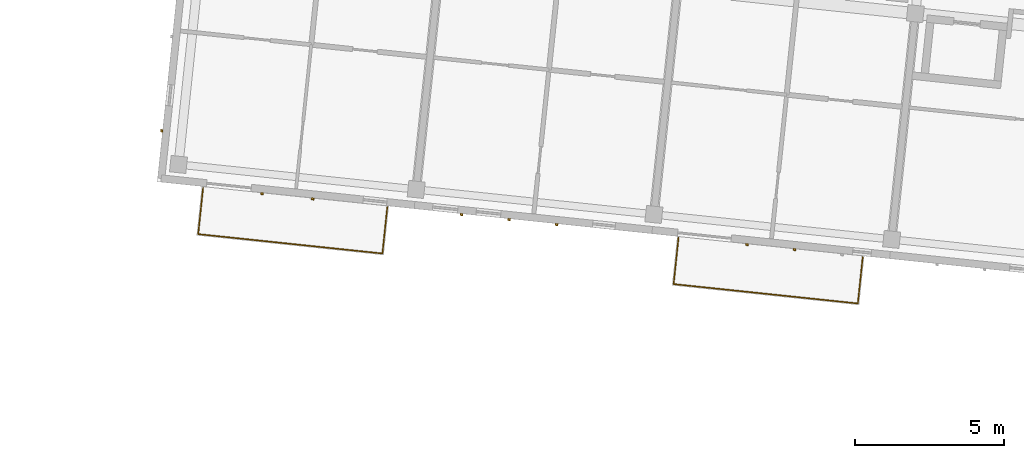
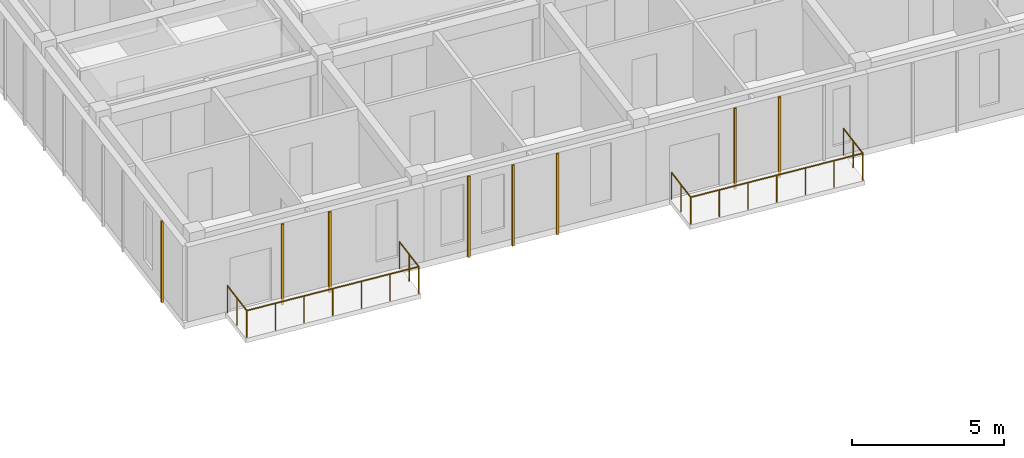
# One storey, part 56 of 66: 8 coverings, 2 railings.
"""IFC4 building model written with IfcOpenShell, lengths in metres."""

from ifc_helpers import new_model, si_unit, direction, frame, origin, origin_2d, place, context, subcontext, project, spatial, rectangle, circle, extrude, material, layer, layer_set, type_object, element, save


model = new_model("IFC4")

# Units and contexts
model_context = context("Model", 3, precision=1e-05, world=origin(), true_north=direction((0.0, 1.0)))
body_context = subcontext(model_context, "Body", "Model", "MODEL_VIEW")
ifc_project = project(units=[si_unit("LENGTHUNIT", "METRE"), si_unit("AREAUNIT", "SQUARE_METRE"), si_unit("VOLUMEUNIT", "CUBIC_METRE"), si_unit("PLANEANGLEUNIT", "RADIAN"), si_unit("MASSUNIT", "GRAM", prefix="KILO")], contexts=[model_context])

# Site, building, storey
site_placement = place(None, origin())
site = spatial("IfcSite", under=ifc_project, at=site_placement, CompositionType="ELEMENT")
building_placement = place(site_placement, origin())
building = spatial("IfcBuilding", under=site, at=building_placement, Name="Kestramere Prow Commons", CompositionType="ELEMENT")
storey_placement = place(building_placement, frame((0.0, 0.0, 14.89990234375)))
storey = spatial("IfcBuildingStorey", under=building, at=storey_placement, Name="L04", CompositionType="ELEMENT", Elevation=14.89990234375)

# Coverings
ifc_material_1 = material(Name="Weathered Zinc-Titanium Standing-Seam Cladding")
ifc_layer = layer(ifc_material_1, 0.074951171875)
ifc_layer_set = layer_set([ifc_layer], Name="Weathered Zinc-Titanium Standing-Seam Cladding")
covering_type = type_object("IfcCoveringType", Name="COV-CLAD-SEAM", PredefinedType="CLADDING", material=ifc_layer_set)
for number, where, z_axis, x_axis, name in (
    (1, (114.494140625, 93.646484375, -0.25), (0.0, 0.0, 1.0), (-0.994521895368, 0.104528463268, 0.0), "EW-B-L04-S-0 Standing-Seam Rib 2"),
    (2, (112.79833984375, 93.82470703125, -0.25), (0.0, 0.0, 1.0), (-0.994521895368, 0.104528463268, 0.0), "EW-B-L04-S-0 Standing-Seam Rib 3"),
    (3, (122.6591796875, 92.788330078125, -0.25), (0.0, 0.0, 1.0), (-0.994521895368, 0.104528463268, 0.0), "EW-B-L04-S-1 Standing-Seam Rib 2"),
    (4, (121.06787109375, 92.95556640625, -0.25), (0.0, 0.0, 1.0), (-0.994521895368, 0.104528463268, 0.0), "EW-B-L04-S-1 Standing-Seam Rib 3"),
    (5, (119.4765625, 93.122802734375, -0.25), (0.0, 0.0, 1.0), (-0.994521895368, 0.104528463268, 0.0), "EW-B-L04-S-1 Standing-Seam Rib 4"),
    (6, (130.615234375, 91.951904296875, -0.25), (0.0, 0.0, 1.0), (-0.994521895368, 0.104528463268, 0.0), "EW-B-L04-S-2 Standing-Seam Rib 2"),
    (7, (129.02392578125, 92.119384765625, -0.25), (0.0, 0.0, 1.0), (-0.994521895368, 0.104528463268, 0.0), "EW-B-L04-S-2 Standing-Seam Rib 3"),
    (8, (109.437255859375, 95.928466796875, -0.25), (0.0, 0.0, 1.0), (0.104528463268, 0.994521895368, 0.0), "EW-B-L04-EAV Standing-Seam Rib 1"),
):
    element("IfcCovering", number, at=place(storey_placement, frame(where, z_axis=z_axis, x_axis=x_axis)), inside=storey, type_object=covering_type, Name=name, PredefinedType="CLADDING", context=body_context, shape_type="SweptSolid", body=[
        extrude(rectangle(XDim=0.0849609375, YDim=0.06494140625, at=origin_2d()), origin(), (0.0, 0.0, 1.0), 3.25),
    ])

# Railings
ifc_material_2 = material(Name="Powder-Coated Aluminium 6063-T6", Category="aluminium")
railing_type = type_object("IfcRailingType", Name="GRD-BALC-1100", PredefinedType="BALUSTRADE", material=ifc_material_2)
railing_1_placement = place(storey_placement, frame((110.822998046875, 94.019775390625, 0.0)))
element("IfcRailing", 9, at=railing_1_placement, inside=storey, type_object=railing_type, Name="Block B L04 Balcony Guardrail 1", PredefinedType="BALUSTRADE", context=body_context, shape_type="SweptSolid", body=[
    extrude(circle(Radius=0.02392578125, at=origin_2d()), frame((0.0, 0.0, 1.076171875), z_axis=(-0.104538150424, -0.994520877159, 0.0), x_axis=(0.994520877159, -0.104538150424, 0.0)), (0.0, 0.0, 1.0), 1.56005859375),
    extrude(circle(Radius=0.02392578125, at=origin_2d()), frame((-0.1630859375, -1.551513671875, 1.076171875), z_axis=(0.994519899862, -0.104547447503, 0.0), x_axis=(0.104547447503, 0.994519899862, 0.0)), (0.0, 0.0, 1.0), 6.199951171875),
    extrude(circle(Radius=0.02392578125, at=origin_2d()), frame((6.0029296875, -2.19970703125, 1.076171875), z_axis=(0.104538150424, 0.994520877159, 0.0), x_axis=(-0.994520877159, 0.104538150424, 0.0)), (0.0, 0.0, 1.0), 1.56005859375),
    extrude(circle(Radius=0.02099609375, at=origin_2d()), origin(), (0.0, 0.0, 1.0), 1.052001953125),
    extrude(circle(Radius=0.02099609375, at=origin_2d()), frame((-0.08154296875, -0.77587890625, 0.0)), (0.0, 0.0, 1.0), 1.052001953125),
    extrude(circle(Radius=0.02099609375, at=origin_2d()), frame((-0.1630859375, -1.551513671875, 0.0)), (0.0, 0.0, 1.0), 1.052001953125),
    extrude(circle(Radius=0.02099609375, at=origin_2d()), frame((0.864501953125, -1.65966796875, 0.0)), (0.0, 0.0, 1.0), 1.052001953125),
    extrude(circle(Radius=0.02099609375, at=origin_2d()), frame((1.892333984375, -1.767578125, 0.0)), (0.0, 0.0, 1.0), 1.052001953125),
    extrude(circle(Radius=0.02099609375, at=origin_2d()), frame((2.919921875, -1.87548828125, 0.0)), (0.0, 0.0, 1.0), 1.052001953125),
    extrude(circle(Radius=0.02099609375, at=origin_2d()), frame((3.947509765625, -1.983642578125, 0.0)), (0.0, 0.0, 1.0), 1.052001953125),
    extrude(circle(Radius=0.02099609375, at=origin_2d()), frame((4.975341796875, -2.091796875, 0.0)), (0.0, 0.0, 1.0), 1.052001953125),
    extrude(circle(Radius=0.02099609375, at=origin_2d()), frame((6.0029296875, -2.19970703125, 0.0)), (0.0, 0.0, 1.0), 1.052001953125),
    extrude(circle(Radius=0.02099609375, at=origin_2d()), frame((6.08447265625, -1.423828125, 0.0)), (0.0, 0.0, 1.0), 1.052001953125),
    extrude(circle(Radius=0.02099609375, at=origin_2d()), frame((6.166015625, -0.648193359375, 0.0)), (0.0, 0.0, 1.0), 1.052001953125),
])
railing_2_placement = place(storey_placement, frame((126.7353515625, 92.34716796875, 0.0)))
element("IfcRailing", 10, at=railing_2_placement, inside=storey, type_object=railing_type, Name="Block B L04 Balcony Guardrail 3", PredefinedType="BALUSTRADE", context=body_context, shape_type="SweptSolid", body=[
    extrude(circle(Radius=0.02392578125, at=origin_2d()), frame((0.0, 0.0, 1.076171875), z_axis=(-0.104554422924, -0.994519166556, 0.0), x_axis=(0.994519166556, -0.104554422924, 0.0)), (0.0, 0.0, 1.0), 1.559814453125),
    extrude(circle(Radius=0.02392578125, at=origin_2d()), frame((-0.1630859375, -1.55126953125, 1.076171875), z_axis=(0.994519899862, -0.104547447503, 0.0), x_axis=(0.104547447503, 0.994519899862, 0.0)), (0.0, 0.0, 1.0), 6.199951171875),
    extrude(circle(Radius=0.02392578125, at=origin_2d()), frame((6.0029296875, -2.199462890625, 1.076171875), z_axis=(0.104538150424, 0.994520877159, 0.0), x_axis=(-0.994520877159, 0.104538150424, 0.0)), (0.0, 0.0, 1.0), 1.56005859375),
    extrude(circle(Radius=0.02099609375, at=origin_2d()), origin(), (0.0, 0.0, 1.0), 1.052001953125),
    extrude(circle(Radius=0.02099609375, at=origin_2d()), frame((-0.08154296875, -0.775634765625, 0.0)), (0.0, 0.0, 1.0), 1.052001953125),
    extrude(circle(Radius=0.02099609375, at=origin_2d()), frame((-0.1630859375, -1.55126953125, 0.0)), (0.0, 0.0, 1.0), 1.052001953125),
    extrude(circle(Radius=0.02099609375, at=origin_2d()), frame((0.864501953125, -1.6591796875, 0.0)), (0.0, 0.0, 1.0), 1.052001953125),
    extrude(circle(Radius=0.02099609375, at=origin_2d()), frame((1.892333984375, -1.767333984375, 0.0)), (0.0, 0.0, 1.0), 1.052001953125),
    extrude(circle(Radius=0.02099609375, at=origin_2d()), frame((2.919921875, -1.87548828125, 0.0)), (0.0, 0.0, 1.0), 1.052001953125),
    extrude(circle(Radius=0.02099609375, at=origin_2d()), frame((3.947509765625, -1.9833984375, 0.0)), (0.0, 0.0, 1.0), 1.052001953125),
    extrude(circle(Radius=0.02099609375, at=origin_2d()), frame((4.975341796875, -2.09130859375, 0.0)), (0.0, 0.0, 1.0), 1.052001953125),
    extrude(circle(Radius=0.02099609375, at=origin_2d()), frame((6.0029296875, -2.199462890625, 0.0)), (0.0, 0.0, 1.0), 1.052001953125),
    extrude(circle(Radius=0.02099609375, at=origin_2d()), frame((6.08447265625, -1.423828125, 0.0)), (0.0, 0.0, 1.0), 1.052001953125),
    extrude(circle(Radius=0.02099609375, at=origin_2d()), frame((6.166015625, -0.64794921875, 0.0)), (0.0, 0.0, 1.0), 1.052001953125),
])

save(model, "model.ifc")
